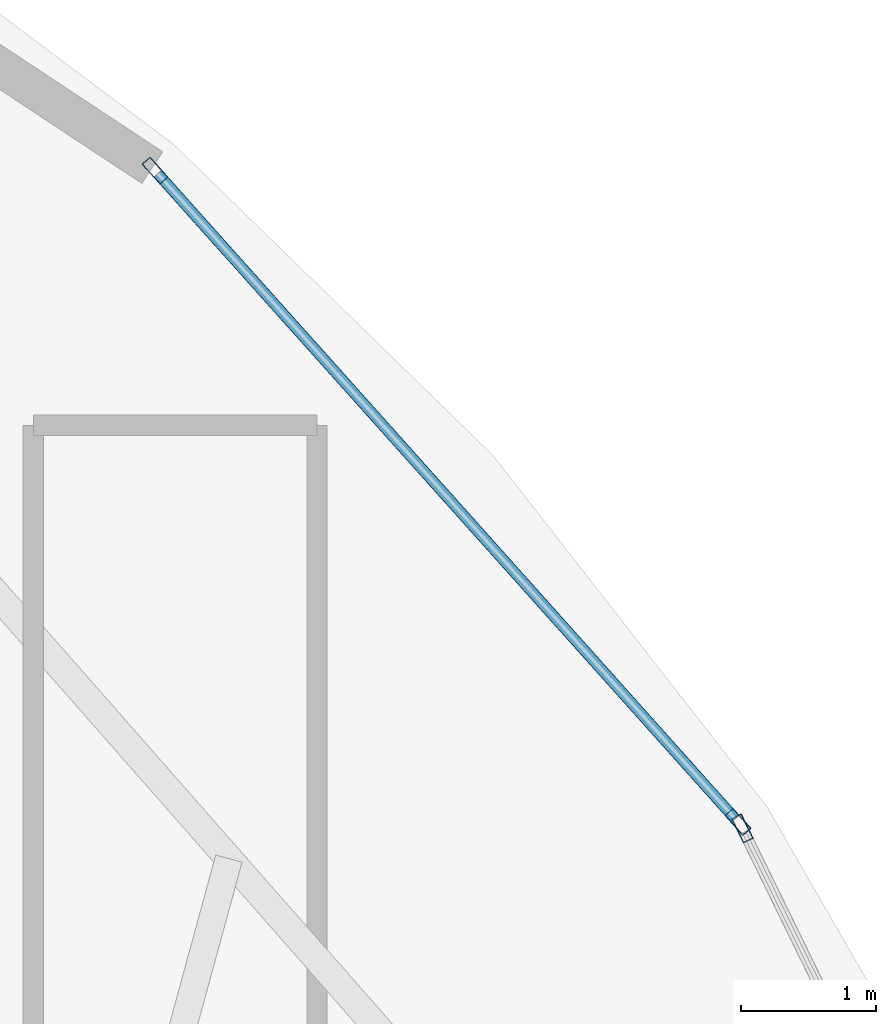
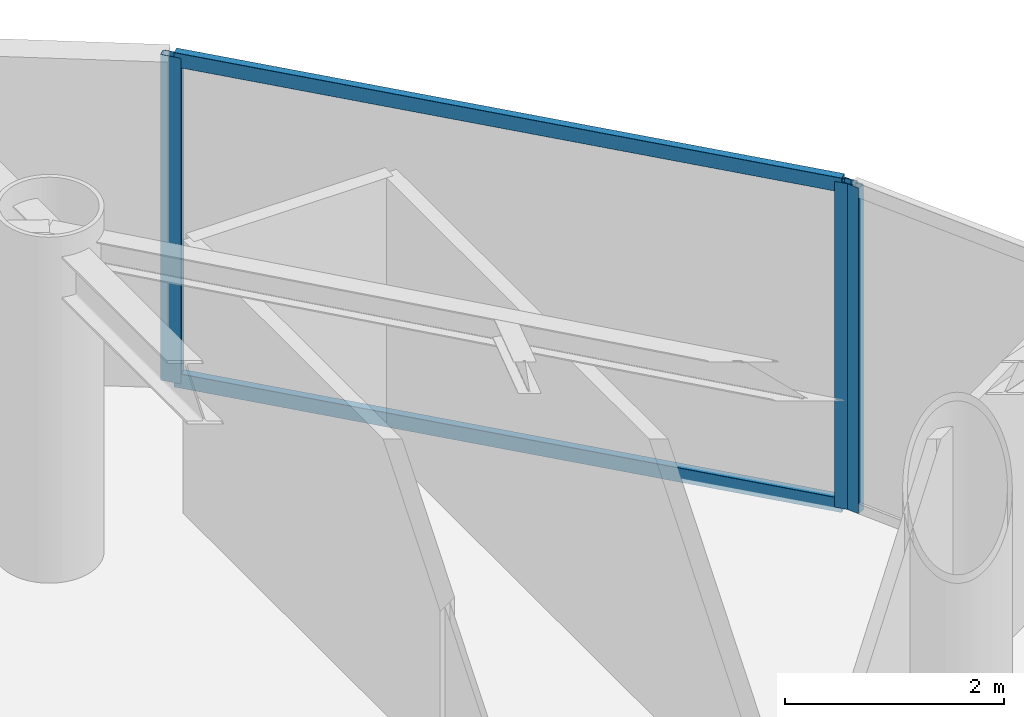
# One storey, part 14 of 21: 5 members, 2 elements without a shape of their own.
"""IFC4 building model written with IfcOpenShell, lengths in metres."""

import ifcopenshell
import ifcopenshell.guid

model = None  # the IFC model being written
_history = None  # IfcOwnerHistory: only IFC2X3 demands one
_inside = {}  # id of a spatial element -> (the spatial element, [elements in it])
_under = {}  # id of a project, library or spatial element -> (it, [spatial elements below it])
_declared = {}  # id of a project -> (the project, [libraries it declares])
_typed = {}  # id of a type object -> (the type object, [elements of that type])
_made_of = {}  # id of a material, layer set ... -> (it, [elements and type objects made of it])


def new_model(schema):
    """Start an empty IFC model of exactly this schema.

    Asked for "IFC4X3", IfcOpenShell would pick the latest addendum, in which some entities
    have other attributes; the version numbers below select the first issue.
    IFC2X3 requires an IfcOwnerHistory on every rooted entity: one is made here for all.
    """
    global model, _history
    if schema == "IFC4X3":
        model = ifcopenshell.file(schema_version=(4, 3, 0, 0))
    else:
        model = ifcopenshell.file(schema=schema)
    _inside.clear()
    _under.clear()
    _declared.clear()
    _typed.clear()
    _made_of.clear()
    _history = None
    if model.schema == "IFC2X3":
        org = make("IfcOrganization", Name="unknown")
        user = make(
            "IfcPersonAndOrganization",
            ThePerson=make("IfcPerson", FamilyName="unknown"),
            TheOrganization=org,
        )
        app = make(
            "IfcApplication",
            ApplicationDeveloper=org,
            Version="unknown",
            ApplicationFullName="unknown",
            ApplicationIdentifier="unknown",
        )
        _history = make(
            "IfcOwnerHistory",
            OwningUser=user,
            OwningApplication=app,
            ChangeAction="ADDED",
            CreationDate=0,
        )
    return model


def make(cls, **values):
    """One entity of the class cls with the attributes given. An attribute that is None is left unset."""
    return model.create_entity(
        cls, **{name: value for name, value in values.items() if value is not None}
    )


def rooted(cls, **values):
    """An entity with a GlobalId (a new one), such as an element, a storey or a relation."""
    return make(cls, GlobalId=ifcopenshell.guid.new(), OwnerHistory=_history, **values)


def si_unit(unit_type, name, prefix=None):
    """IfcSIUnit, for example si_unit("LENGTHUNIT", "METRE", prefix="MILLI")."""
    return make("IfcSIUnit", UnitType=unit_type, Prefix=prefix, Name=name)


def assignment(units):
    """IfcUnitAssignment: the units of a project."""
    return None if units is None else make("IfcUnitAssignment", Units=units)


def point(xyz):
    """IfcCartesianPoint."""
    return None if xyz is None else make("IfcCartesianPoint", Coordinates=xyz)


def direction(xyz):
    """IfcDirection."""
    return None if xyz is None else make("IfcDirection", DirectionRatios=xyz)


def frame(location, z_axis=None, x_axis=None):
    """IfcAxis2Placement3D, a coordinate frame: its origin and axes. An axis left out is left unset."""
    return make(
        "IfcAxis2Placement3D",
        Location=point(location),
        Axis=direction(z_axis),
        RefDirection=direction(x_axis),
    )


def frame_2d(location, x_axis=None):
    """IfcAxis2Placement2D, a coordinate frame in the plane: its origin and x axis."""
    return make(
        "IfcAxis2Placement2D", Location=point(location), RefDirection=direction(x_axis)
    )


def origin():
    """The frame at (0, 0, 0) with its axes left unset."""
    return frame((0.0, 0.0, 0.0))


def origin_2d():
    """The frame at (0, 0) in the plane with its x axis left unset."""
    return frame_2d((0.0, 0.0))


def place(relative_to, where):
    """IfcLocalPlacement: puts the frame where relative to a parent placement (None: the world)."""
    return make(
        "IfcLocalPlacement", PlacementRelTo=relative_to, RelativePlacement=where
    )


def context(
    kind, dimensions, precision=None, world=None, true_north=None, identifier=None
):
    """IfcGeometricRepresentationContext, for example the 3D "Model" context."""
    return make(
        "IfcGeometricRepresentationContext",
        ContextIdentifier=identifier,
        ContextType=kind,
        CoordinateSpaceDimension=dimensions,
        Precision=precision,
        WorldCoordinateSystem=world,
        TrueNorth=true_north,
    )


def subcontext(parent, identifier, kind, view, scale=None):
    """IfcGeometricRepresentationSubContext, for example "Body" below "Model"."""
    return make(
        "IfcGeometricRepresentationSubContext",
        ContextIdentifier=identifier,
        ContextType=kind,
        ParentContext=parent,
        TargetScale=scale,
        TargetView=view,
    )


def project(units=None, contexts=None):
    """IfcProject with its units and contexts."""
    return rooted(
        "IfcProject",
        Name="project",
        RepresentationContexts=contexts,
        UnitsInContext=assignment(units),
    )


def spatial(cls, under=None, at=None, **own):
    """A site, building, storey or space (cls), placed at a placement, below another one or the project."""
    s = rooted(cls, ObjectPlacement=at, **own)
    if under is not None:
        _under.setdefault(under.id(), (under, []))[1].append(s)
    return s


def profile(cls, at=None, kind="AREA", **sizes):
    """A parametric profile (cls). Its sizes go by their IFC names, for example OverallWidth=200.0."""
    return make(cls, ProfileType=kind, Position=at, **sizes)


def hollow_rectangle(**sizes):
    """IfcRectangleHollowProfileDef."""
    return profile("IfcRectangleHollowProfileDef", **sizes)


def extrude(swept, where, along, depth):
    """IfcExtrudedAreaSolid: the profile swept, set in the frame where, extruded along a direction by depth."""
    return make(
        "IfcExtrudedAreaSolid",
        SweptArea=swept,
        Position=where,
        ExtrudedDirection=direction(along),
        Depth=depth,
    )


def shape(context_of_items, identifier, shape_type, items):
    """IfcShapeRepresentation: the items that make up one representation, for example the "Body"."""
    return make(
        "IfcShapeRepresentation",
        ContextOfItems=context_of_items,
        RepresentationIdentifier=identifier,
        RepresentationType=shape_type,
        Items=items,
    )


def material(Name=None, Category=None):
    """IfcMaterial."""
    return make("IfcMaterial", Name=Name, Category=Category)


def layer(
    of_material, thickness, ventilated=None, Name=None, Category=None, Priority=None
):
    """IfcMaterialLayer: one layer of a wall or slab, of a material (None: an air gap)."""
    return make(
        "IfcMaterialLayer",
        Material=of_material,
        LayerThickness=thickness,
        IsVentilated=ventilated,
        Name=Name,
        Category=Category,
        Priority=Priority,
    )


def layer_set(layers, Name=None):
    """IfcMaterialLayerSet."""
    return make("IfcMaterialLayerSet", MaterialLayers=layers, LayerSetName=Name)


def material_profile(
    of_material, cross_section, Name=None, Category=None, Priority=None
):
    """IfcMaterialProfile: a cross section and its material."""
    return make(
        "IfcMaterialProfile",
        Name=Name,
        Material=of_material,
        Profile=cross_section,
        Priority=Priority,
        Category=Category,
    )


def profile_set(profiles, Name=None, composite=None):
    """IfcMaterialProfileSet."""
    return make(
        "IfcMaterialProfileSet",
        Name=Name,
        MaterialProfiles=profiles,
        CompositeProfile=composite,
    )


def made_of(thing, what):
    """Note that an element or type object is made of a material, layer set ...; save() writes the relation."""
    if what is not None:
        _made_of.setdefault(what.id(), (what, []))[1].append(thing)
    return thing


def type_object(cls, material=None, **own):
    """A type object (cls), such as IfcWallType, which elements share."""
    return made_of(rooted(cls, **own), material)


def element(
    cls,
    number,
    at=None,
    inside=None,
    cuts=None,
    type_object=None,
    material=None,
    context=None,
    identifier="Body",
    shape_type=None,
    held_by="IfcProductDefinitionShape",
    body=None,
    shapes=None,
    **own,
):
    """One element of the class cls, such as IfcWall. Its Tag is "e" and its number.

    at: its placement. inside: the storey or other place that contains it. cuts: it is an
    opening in that element (IfcRelVoidsElement). A single representation is given by context,
    identifier, shape_type and body (its items); several are given by shapes. held_by: the class
    of the entity that holds the representations. save() writes the other relations.
    """
    e = rooted(cls, Tag="e%d" % number, ObjectPlacement=at, **own)
    if body is not None:
        shapes = [shape(context, identifier, shape_type, body)]
    if shapes is not None:
        e.Representation = make(held_by, Representations=shapes)
    if inside is not None:
        _inside.setdefault(inside.id(), (inside, []))[1].append(e)
    if cuts is not None:
        rooted(
            "IfcRelVoidsElement", RelatingBuildingElement=cuts, RelatedOpeningElement=e
        )
    if type_object is not None:
        _typed.setdefault(type_object.id(), (type_object, []))[1].append(e)
    return made_of(e, material)


def aggregate(whole, parts):
    """IfcRelAggregates: a whole, such as a stair, and the parts it consists of."""
    return rooted("IfcRelAggregates", RelatingObject=whole, RelatedObjects=parts)


def save(model, path):
    """Write the relations noted so far, then the file.

    IfcRelAggregates (storeys below a building ...), IfcRelContainedInSpatialStructure (elements
    in a storey), IfcRelDefinesByType, IfcRelAssociatesMaterial and IfcRelDeclares: one each for
    every whole, place, type object, material and project.
    """
    for whole, parts in _under.values():
        aggregate(whole, parts)
    for where, things in _inside.values():
        rooted(
            "IfcRelContainedInSpatialStructure",
            RelatedElements=things,
            RelatingStructure=where,
        )
    for kind, things in _typed.values():
        rooted("IfcRelDefinesByType", RelatedObjects=things, RelatingType=kind)
    for what, things in _made_of.values():
        rooted("IfcRelAssociatesMaterial", RelatedObjects=things, RelatingMaterial=what)
    for by, libraries in _declared.values():
        rooted("IfcRelDeclares", RelatingContext=by, RelatedDefinitions=libraries)
    model.write(path)


model = new_model("IFC4")

# Units and contexts
model_context = context("Model", 3, precision=1e-05, world=origin(), true_north=direction((0.0, 1.0)))
body_context = subcontext(model_context, "Body", "Model", "MODEL_VIEW")
ifc_project = project(units=[si_unit("LENGTHUNIT", "METRE"), si_unit("AREAUNIT", "SQUARE_METRE"), si_unit("VOLUMEUNIT", "CUBIC_METRE"), si_unit("PLANEANGLEUNIT", "RADIAN"), si_unit("MASSUNIT", "GRAM", prefix="KILO")], contexts=[model_context])

# Site, building, storey
site_placement = place(None, origin())
site = spatial("IfcSite", under=ifc_project, at=site_placement, CompositionType="ELEMENT")
building_placement = place(site_placement, origin())
building = spatial("IfcBuilding", under=site, at=building_placement, Name="Bramvorn Convention Spire", CompositionType="ELEMENT")
storey_placement = place(building_placement, frame((0.0, 0.0, 257.449951171875)))
storey = spatial("IfcBuildingStorey", under=building, at=storey_placement, Name="L65", CompositionType="ELEMENT", Elevation=257.449951171875)

# Curtain wall, member
ifc_material_1 = material(Name="Anodised Bronze Unitised Curtain Wall", Category="aluminium")
ifc_layer = layer(ifc_material_1, 0.179931640625)
ifc_layer_set = layer_set([ifc_layer], Name="Anodised Bronze Unitised Curtain Wall - CW-OFF-FRIT")
curtain_wall_type = type_object("IfcCurtainWallType", Name="CW-OFF-FRIT", PredefinedType="USERDEFINED", material=ifc_layer_set)
curtain_wall_1_placement = place(storey_placement, origin())
curtain_wall_1 = element("IfcCurtainWall", 1, at=curtain_wall_1_placement, inside=storey, type_object=curtain_wall_type, Name="L65 fritted glass curtain wall 06", ObjectType="UNITISED CURTAIN WALL", PredefinedType="USERDEFINED")
ifc_material_2 = material(Name="Anodised Bronze Aluminium 6063-T6", Category="aluminium")
ifc_material_profile_1 = material_profile(ifc_material_2, hollow_rectangle(XDim=0.080078125, YDim=0.199951171875, WallThickness=0.00390625, InnerFilletRadius=0.0009765625, OuterFilletRadius=0.00390625, at=origin_2d()))
ifc_profile_set_1 = profile_set([ifc_material_profile_1], Name="Anodised Bronze Aluminium 6063-T6 - CWM80X200")
member_type_1 = type_object("IfcMemberType", Name="CW-MUL-180", PredefinedType="MULLION", material=ifc_profile_set_1)
member_1_placement = place(storey_placement, frame((54.346923828125, 38.416259765625, 0.0), z_axis=(0.0, 0.0, 1.0), x_axis=(0.898266780669, 0.43945055552, 0.0)))
member_1 = element("IfcMember", 2, at=member_1_placement, type_object=member_type_1, Name="CW3 mullion 1", PredefinedType="MULLION", context=body_context, shape_type="SweptSolid", body=[
    extrude(hollow_rectangle(XDim=0.080078125, YDim=0.199951171875, WallThickness=0.00390625, InnerFilletRadius=0.0009765625, OuterFilletRadius=0.00390625, at=origin_2d()), origin(), (0.0, 0.0, 1.0), 3.625),
])
aggregate(curtain_wall_1, [member_1])

# Curtain wall, members
curtain_wall_2_placement = place(storey_placement, origin())
curtain_wall_2 = element("IfcCurtainWall", 3, at=curtain_wall_2_placement, inside=storey, type_object=curtain_wall_type, Name="L65 fritted glass curtain wall 07", ObjectType="UNITISED CURTAIN WALL", PredefinedType="USERDEFINED")
member_2_placement = place(storey_placement, frame((50.000732421875, 43.2841796875, 0.0), z_axis=(0.0, 0.0, 1.0), x_axis=(0.745109867792, 0.666941740274, 0.0)))
member_2 = element("IfcMember", 4, at=member_2_placement, type_object=member_type_1, Name="CW3 mullion 1", PredefinedType="MULLION", context=body_context, shape_type="SweptSolid", body=[
    extrude(hollow_rectangle(XDim=0.080078125, YDim=0.199951171875, WallThickness=0.00390625, InnerFilletRadius=0.0009765625, OuterFilletRadius=0.00390625, at=origin_2d()), origin(), (0.0, 0.0, 1.0), 3.625),
])
member_3_placement = place(storey_placement, frame((54.313720703125, 38.465576171875, 0.0), z_axis=(0.0, 0.0, 1.0), x_axis=(0.745109867792, 0.666941740274, 0.0)))
member_3 = element("IfcMember", 5, at=member_3_placement, type_object=member_type_1, Name="CW3 mullion 2", PredefinedType="MULLION", context=body_context, shape_type="SweptSolid", body=[
    extrude(hollow_rectangle(XDim=0.080078125, YDim=0.199951171875, WallThickness=0.00390625, InnerFilletRadius=0.0009765625, OuterFilletRadius=0.00390625, at=origin_2d()), origin(), (0.0, 0.0, 1.0), 3.625),
])
ifc_material_profile_2 = material_profile(ifc_material_2, hollow_rectangle(XDim=0.080078125, YDim=0.159912109375, WallThickness=0.00390625, InnerFilletRadius=0.0009765625, OuterFilletRadius=0.00390625, at=origin_2d()))
ifc_profile_set_2 = profile_set([ifc_material_profile_2], Name="Anodised Bronze Aluminium 6063-T6 - CWT80X160")
member_type_2 = type_object("IfcMemberType", Name="CW-TRN-150", PredefinedType="USERDEFINED", material=ifc_profile_set_2)
member_4_placement = place(storey_placement, frame((50.020751953125, 43.26171875, 0.030029296875), z_axis=(0.666928512327, -0.745121707807, 0.0), x_axis=(0.745121707807, 0.666928512327, 0.0)))
member_4 = element("IfcMember", 6, at=member_4_placement, type_object=member_type_2, Name="CW3 transom 1.1", ObjectType="TRANSOM", PredefinedType="USERDEFINED", context=body_context, shape_type="SweptSolid", body=[
    extrude(hollow_rectangle(XDim=0.080078125, YDim=0.159912109375, WallThickness=0.00390625, InnerFilletRadius=0.0009765625, OuterFilletRadius=0.00390625, at=origin_2d()), origin(), (0.0, 0.0, 1.0), 6.406982421875),
])
member_5_placement = place(storey_placement, frame((50.020751953125, 43.26171875, 3.594970703125), z_axis=(0.666928512327, -0.745121707807, 0.0), x_axis=(0.745121707807, 0.666928512327, 0.0)))
member_5 = element("IfcMember", 7, at=member_5_placement, type_object=member_type_2, Name="CW3 transom 1.2", ObjectType="TRANSOM", PredefinedType="USERDEFINED", context=body_context, shape_type="SweptSolid", body=[
    extrude(hollow_rectangle(XDim=0.080078125, YDim=0.159912109375, WallThickness=0.00390625, InnerFilletRadius=0.0009765625, OuterFilletRadius=0.00390625, at=origin_2d()), origin(), (0.0, 0.0, 1.0), 6.406982421875),
])
aggregate(curtain_wall_2, [member_2, member_3, member_4, member_5])

save(model, "model.ifc")
